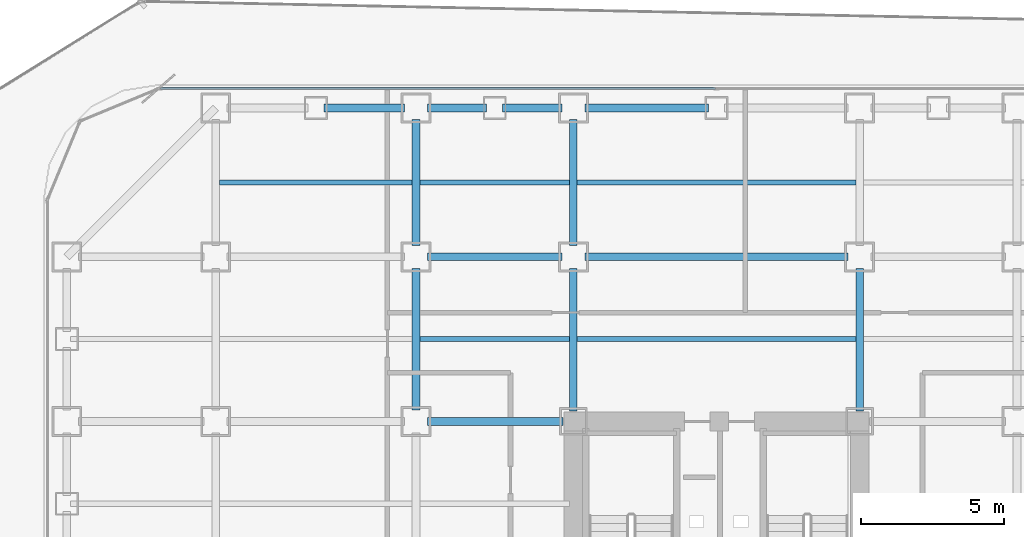
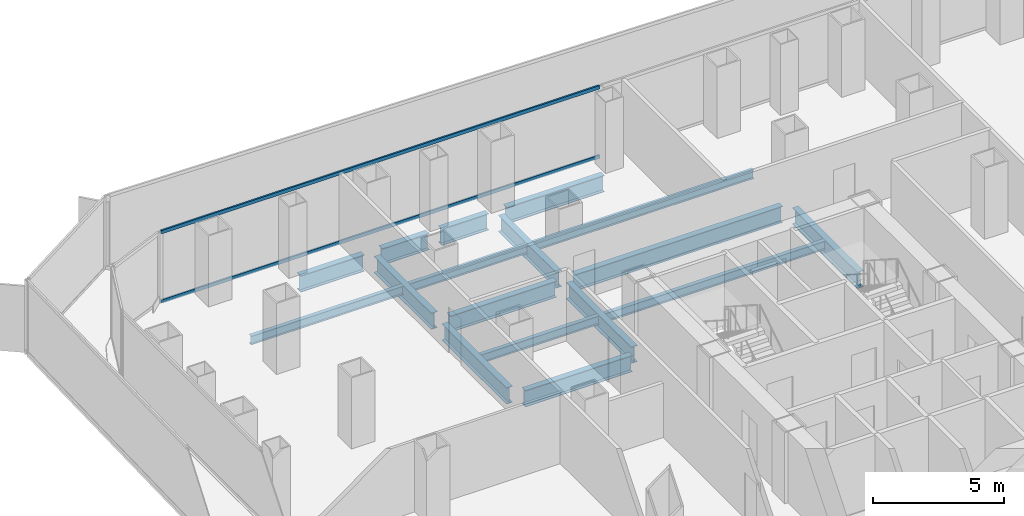
# One storey, part 12 of 21: 17 beams, 2 members, 1 element without a shape of its own.
"""IFC4 building model written with IfcOpenShell, lengths in metres."""

import ifcopenshell
import ifcopenshell.guid

model = None  # the IFC model being written
_history = None  # IfcOwnerHistory: only IFC2X3 demands one
_inside = {}  # id of a spatial element -> (the spatial element, [elements in it])
_under = {}  # id of a project, library or spatial element -> (it, [spatial elements below it])
_declared = {}  # id of a project -> (the project, [libraries it declares])
_typed = {}  # id of a type object -> (the type object, [elements of that type])
_made_of = {}  # id of a material, layer set ... -> (it, [elements and type objects made of it])


def new_model(schema):
    """Start an empty IFC model of exactly this schema.

    Asked for "IFC4X3", IfcOpenShell would pick the latest addendum, in which some entities
    have other attributes; the version numbers below select the first issue.
    IFC2X3 requires an IfcOwnerHistory on every rooted entity: one is made here for all.
    """
    global model, _history
    if schema == "IFC4X3":
        model = ifcopenshell.file(schema_version=(4, 3, 0, 0))
    else:
        model = ifcopenshell.file(schema=schema)
    _inside.clear()
    _under.clear()
    _declared.clear()
    _typed.clear()
    _made_of.clear()
    _history = None
    if model.schema == "IFC2X3":
        org = make("IfcOrganization", Name="unknown")
        user = make(
            "IfcPersonAndOrganization",
            ThePerson=make("IfcPerson", FamilyName="unknown"),
            TheOrganization=org,
        )
        app = make(
            "IfcApplication",
            ApplicationDeveloper=org,
            Version="unknown",
            ApplicationFullName="unknown",
            ApplicationIdentifier="unknown",
        )
        _history = make(
            "IfcOwnerHistory",
            OwningUser=user,
            OwningApplication=app,
            ChangeAction="ADDED",
            CreationDate=0,
        )
    return model


def make(cls, **values):
    """One entity of the class cls with the attributes given. An attribute that is None is left unset."""
    return model.create_entity(
        cls, **{name: value for name, value in values.items() if value is not None}
    )


def rooted(cls, **values):
    """An entity with a GlobalId (a new one), such as an element, a storey or a relation."""
    return make(cls, GlobalId=ifcopenshell.guid.new(), OwnerHistory=_history, **values)


def si_unit(unit_type, name, prefix=None):
    """IfcSIUnit, for example si_unit("LENGTHUNIT", "METRE", prefix="MILLI")."""
    return make("IfcSIUnit", UnitType=unit_type, Prefix=prefix, Name=name)


def assignment(units):
    """IfcUnitAssignment: the units of a project."""
    return None if units is None else make("IfcUnitAssignment", Units=units)


def point(xyz):
    """IfcCartesianPoint."""
    return None if xyz is None else make("IfcCartesianPoint", Coordinates=xyz)


def direction(xyz):
    """IfcDirection."""
    return None if xyz is None else make("IfcDirection", DirectionRatios=xyz)


def frame(location, z_axis=None, x_axis=None):
    """IfcAxis2Placement3D, a coordinate frame: its origin and axes. An axis left out is left unset."""
    return make(
        "IfcAxis2Placement3D",
        Location=point(location),
        Axis=direction(z_axis),
        RefDirection=direction(x_axis),
    )


def frame_2d(location, x_axis=None):
    """IfcAxis2Placement2D, a coordinate frame in the plane: its origin and x axis."""
    return make(
        "IfcAxis2Placement2D", Location=point(location), RefDirection=direction(x_axis)
    )


def origin():
    """The frame at (0, 0, 0) with its axes left unset."""
    return frame((0.0, 0.0, 0.0))


def origin_2d():
    """The frame at (0, 0) in the plane with its x axis left unset."""
    return frame_2d((0.0, 0.0))


def place(relative_to, where):
    """IfcLocalPlacement: puts the frame where relative to a parent placement (None: the world)."""
    return make(
        "IfcLocalPlacement", PlacementRelTo=relative_to, RelativePlacement=where
    )


def context(
    kind, dimensions, precision=None, world=None, true_north=None, identifier=None
):
    """IfcGeometricRepresentationContext, for example the 3D "Model" context."""
    return make(
        "IfcGeometricRepresentationContext",
        ContextIdentifier=identifier,
        ContextType=kind,
        CoordinateSpaceDimension=dimensions,
        Precision=precision,
        WorldCoordinateSystem=world,
        TrueNorth=true_north,
    )


def subcontext(parent, identifier, kind, view, scale=None):
    """IfcGeometricRepresentationSubContext, for example "Body" below "Model"."""
    return make(
        "IfcGeometricRepresentationSubContext",
        ContextIdentifier=identifier,
        ContextType=kind,
        ParentContext=parent,
        TargetScale=scale,
        TargetView=view,
    )


def project(units=None, contexts=None):
    """IfcProject with its units and contexts."""
    return rooted(
        "IfcProject",
        Name="project",
        RepresentationContexts=contexts,
        UnitsInContext=assignment(units),
    )


def spatial(cls, under=None, at=None, **own):
    """A site, building, storey or space (cls), placed at a placement, below another one or the project."""
    s = rooted(cls, ObjectPlacement=at, **own)
    if under is not None:
        _under.setdefault(under.id(), (under, []))[1].append(s)
    return s


def profile(cls, at=None, kind="AREA", **sizes):
    """A parametric profile (cls). Its sizes go by their IFC names, for example OverallWidth=200.0."""
    return make(cls, ProfileType=kind, Position=at, **sizes)


def hollow_rectangle(**sizes):
    """IfcRectangleHollowProfileDef."""
    return profile("IfcRectangleHollowProfileDef", **sizes)


def i_section(**sizes):
    """IfcIShapeProfileDef."""
    return profile("IfcIShapeProfileDef", **sizes)


def extrude(swept, where, along, depth):
    """IfcExtrudedAreaSolid: the profile swept, set in the frame where, extruded along a direction by depth."""
    return make(
        "IfcExtrudedAreaSolid",
        SweptArea=swept,
        Position=where,
        ExtrudedDirection=direction(along),
        Depth=depth,
    )


def shape(context_of_items, identifier, shape_type, items):
    """IfcShapeRepresentation: the items that make up one representation, for example the "Body"."""
    return make(
        "IfcShapeRepresentation",
        ContextOfItems=context_of_items,
        RepresentationIdentifier=identifier,
        RepresentationType=shape_type,
        Items=items,
    )


def source(mapping_origin, context_of_items, identifier, shape_type, items):
    """IfcRepresentationMap: a shape defined once, which mapped items show again and again."""
    return make(
        "IfcRepresentationMap",
        MappingOrigin=mapping_origin,
        MappedRepresentation=shape(context_of_items, identifier, shape_type, items),
    )


def transform(
    local_origin,
    x_axis=None,
    y_axis=None,
    z_axis=None,
    scale=None,
    scale2=None,
    scale3=None,
    uniform=True,
):
    """IfcCartesianTransformationOperator3D, or its non-uniform kind. x_axis, y_axis, z_axis: its Axis1, 2, 3."""
    if uniform:
        return make(
            "IfcCartesianTransformationOperator3D",
            Axis1=direction(x_axis),
            Axis2=direction(y_axis),
            LocalOrigin=point(local_origin),
            Scale=scale,
            Axis3=direction(z_axis),
        )
    return make(
        "IfcCartesianTransformationOperator3DnonUniform",
        Axis1=direction(x_axis),
        Axis2=direction(y_axis),
        LocalOrigin=point(local_origin),
        Scale=scale,
        Axis3=direction(z_axis),
        Scale2=scale2,
        Scale3=scale3,
    )


def mapped(mapping_source, mapping_target):
    """IfcMappedItem: shows the shape of a source again, moved by a transform."""
    return make(
        "IfcMappedItem", MappingSource=mapping_source, MappingTarget=mapping_target
    )


def material(Name=None, Category=None):
    """IfcMaterial."""
    return make("IfcMaterial", Name=Name, Category=Category)


def layer(
    of_material, thickness, ventilated=None, Name=None, Category=None, Priority=None
):
    """IfcMaterialLayer: one layer of a wall or slab, of a material (None: an air gap)."""
    return make(
        "IfcMaterialLayer",
        Material=of_material,
        LayerThickness=thickness,
        IsVentilated=ventilated,
        Name=Name,
        Category=Category,
        Priority=Priority,
    )


def layer_set(layers, Name=None):
    """IfcMaterialLayerSet."""
    return make("IfcMaterialLayerSet", MaterialLayers=layers, LayerSetName=Name)


def material_profile(
    of_material, cross_section, Name=None, Category=None, Priority=None
):
    """IfcMaterialProfile: a cross section and its material."""
    return make(
        "IfcMaterialProfile",
        Name=Name,
        Material=of_material,
        Profile=cross_section,
        Priority=Priority,
        Category=Category,
    )


def profile_set(profiles, Name=None, composite=None):
    """IfcMaterialProfileSet."""
    return make(
        "IfcMaterialProfileSet",
        Name=Name,
        MaterialProfiles=profiles,
        CompositeProfile=composite,
    )


def made_of(thing, what):
    """Note that an element or type object is made of a material, layer set ...; save() writes the relation."""
    if what is not None:
        _made_of.setdefault(what.id(), (what, []))[1].append(thing)
    return thing


def type_object(cls, material=None, **own):
    """A type object (cls), such as IfcWallType, which elements share."""
    return made_of(rooted(cls, **own), material)


def element(
    cls,
    number,
    at=None,
    inside=None,
    cuts=None,
    type_object=None,
    material=None,
    context=None,
    identifier="Body",
    shape_type=None,
    held_by="IfcProductDefinitionShape",
    body=None,
    shapes=None,
    **own,
):
    """One element of the class cls, such as IfcWall. Its Tag is "e" and its number.

    at: its placement. inside: the storey or other place that contains it. cuts: it is an
    opening in that element (IfcRelVoidsElement). A single representation is given by context,
    identifier, shape_type and body (its items); several are given by shapes. held_by: the class
    of the entity that holds the representations. save() writes the other relations.
    """
    e = rooted(cls, Tag="e%d" % number, ObjectPlacement=at, **own)
    if body is not None:
        shapes = [shape(context, identifier, shape_type, body)]
    if shapes is not None:
        e.Representation = make(held_by, Representations=shapes)
    if inside is not None:
        _inside.setdefault(inside.id(), (inside, []))[1].append(e)
    if cuts is not None:
        rooted(
            "IfcRelVoidsElement", RelatingBuildingElement=cuts, RelatedOpeningElement=e
        )
    if type_object is not None:
        _typed.setdefault(type_object.id(), (type_object, []))[1].append(e)
    return made_of(e, material)


def aggregate(whole, parts):
    """IfcRelAggregates: a whole, such as a stair, and the parts it consists of."""
    return rooted("IfcRelAggregates", RelatingObject=whole, RelatedObjects=parts)


def save(model, path):
    """Write the relations noted so far, then the file.

    IfcRelAggregates (storeys below a building ...), IfcRelContainedInSpatialStructure (elements
    in a storey), IfcRelDefinesByType, IfcRelAssociatesMaterial and IfcRelDeclares: one each for
    every whole, place, type object, material and project.
    """
    for whole, parts in _under.values():
        aggregate(whole, parts)
    for where, things in _inside.values():
        rooted(
            "IfcRelContainedInSpatialStructure",
            RelatedElements=things,
            RelatingStructure=where,
        )
    for kind, things in _typed.values():
        rooted("IfcRelDefinesByType", RelatedObjects=things, RelatingType=kind)
    for what, things in _made_of.values():
        rooted("IfcRelAssociatesMaterial", RelatedObjects=things, RelatingMaterial=what)
    for by, libraries in _declared.values():
        rooted("IfcRelDeclares", RelatingContext=by, RelatedDefinitions=libraries)
    model.write(path)


model = new_model("IFC4")

# Units and contexts
model_context = context("Model", 3, precision=1e-05, world=origin(), true_north=direction((0.0, 1.0)))
body_context = subcontext(model_context, "Body", "Model", "MODEL_VIEW")
ifc_project = project(units=[si_unit("LENGTHUNIT", "METRE"), si_unit("AREAUNIT", "SQUARE_METRE"), si_unit("VOLUMEUNIT", "CUBIC_METRE"), si_unit("PLANEANGLEUNIT", "RADIAN"), si_unit("MASSUNIT", "GRAM", prefix="KILO")], contexts=[model_context])

# Site, building, storey
site_placement = place(None, origin())
site = spatial("IfcSite", under=ifc_project, at=site_placement, CompositionType="ELEMENT")
building_placement = place(site_placement, origin())
building = spatial("IfcBuilding", under=site, at=building_placement, Name="Kolveth Station Tower", CompositionType="ELEMENT")
storey_placement = place(building_placement, frame((0.0, 0.0, 62.10009765625)))
storey = spatial("IfcBuildingStorey", under=building, at=storey_placement, Name="L16", CompositionType="ELEMENT", Elevation=62.10009765625)

# Beams
ifc_material_1 = material(Name="Steel S355", Category="steel")
ifc_material_profile_1 = material_profile(ifc_material_1, i_section(OverallWidth=0.26904296875, OverallDepth=0.77490234375, WebThickness=0.01708984375, FlangeThickness=0.0283203125, at=origin_2d()), Name="W760x220")
ifc_profile_set_1 = profile_set([ifc_material_profile_1], Name="Steel S355")
beam_type_1 = type_object("IfcBeamType", Name="Beam_SP1", PredefinedType="SPANDREL", material=ifc_profile_set_1)
shared_shape_1 = source(origin(), body_context, "Body", "SweptSolid", [
    extrude(i_section(OverallWidth=0.26904296875, OverallDepth=0.77490234375, WebThickness=0.01708984375, FlangeThickness=0.0283203125, at=origin_2d()), origin(), (0.0, 0.0, 1.0), 2.820068359375),
])
beam_1_placement = place(storey_placement, frame((9.780029296875, 39.699951171875, -0.66748046875), z_axis=(1.0, 0.0, 0.0), x_axis=(0.0, 1.0, 0.0)))
element("IfcBeam", 1, at=beam_1_placement, inside=storey, type_object=beam_type_1, Name="L16 Perimeter Spandrel BM-L16-PN-2", PredefinedType="SPANDREL", context=body_context, shape_type="MappedRepresentation", body=[
    mapped(shared_shape_1, transform((0.0, 0.0, 0.0), x_axis=(1.0, 0.0, 0.0), y_axis=(0.0, 1.0, 0.0), z_axis=(0.0, 0.0, 1.0), scale=1.0)),
])
shared_shape_2 = source(origin(), body_context, "Body", "SweptSolid", [
    extrude(i_section(OverallWidth=0.26904296875, OverallDepth=0.77490234375, WebThickness=0.01708984375, FlangeThickness=0.0283203125, at=origin_2d()), origin(), (0.0, 0.0, 1.0), 2.070068359375),
])
for number, where, z_axis, x_axis, name in (
    (2, (13.39990234375, 39.699951171875, -0.66748046875), (1.0, 0.0, 0.0), (0.0, 1.0, 0.0), "L16 Perimeter Spandrel BM-L16-PN-3"),
    (3, (16.030029296875, 39.699951171875, -0.66748046875), (1.0, 0.0, 0.0), (0.0, 1.0, 0.0), "L16 Perimeter Spandrel BM-L16-PN-4"),
):
    element("IfcBeam", number, at=place(storey_placement, frame(where, z_axis=z_axis, x_axis=x_axis)), inside=storey, type_object=beam_type_1, Name=name, PredefinedType="SPANDREL", context=body_context, shape_type="MappedRepresentation", body=[
        mapped(shared_shape_2, transform((0.0, 0.0, 0.0), x_axis=(1.0, 0.0, 0.0), y_axis=(0.0, 1.0, 0.0), z_axis=(0.0, 0.0, 1.0), scale=1.0)),
    ])
shared_shape_3 = source(origin(), body_context, "Body", "SweptSolid", [
    extrude(i_section(OverallWidth=0.26904296875, OverallDepth=0.77490234375, WebThickness=0.01708984375, FlangeThickness=0.0283203125, at=origin_2d()), origin(), (0.0, 0.0, 1.0), 4.320068359375),
])
beam_2_placement = place(storey_placement, frame((18.89990234375, 39.699951171875, -0.66748046875), z_axis=(1.0, 0.0, 0.0), x_axis=(0.0, 1.0, 0.0)))
element("IfcBeam", 4, at=beam_2_placement, inside=storey, type_object=beam_type_1, Name="L16 Perimeter Spandrel BM-L16-PN-5", PredefinedType="SPANDREL", context=body_context, shape_type="MappedRepresentation", body=[
    mapped(shared_shape_3, transform((0.0, 0.0, 0.0), x_axis=(1.0, 0.0, 0.0), y_axis=(0.0, 1.0, 0.0), z_axis=(0.0, 0.0, 1.0), scale=1.0)),
])
ifc_material_profile_2 = material_profile(ifc_material_1, i_section(OverallWidth=0.26708984375, OverallDepth=0.76611328125, WebThickness=0.014892578125, FlangeThickness=0.023681640625, at=origin_2d()), Name="W760x185")
ifc_profile_set_2 = profile_set([ifc_material_profile_2], Name="Steel S355")
beam_type_2 = type_object("IfcBeamType", Name="Beam_B3", PredefinedType="BEAM", material=ifc_profile_set_2)
shared_shape_4 = source(origin(), body_context, "Body", "SweptSolid", [
    extrude(i_section(OverallWidth=0.26708984375, OverallDepth=0.76611328125, WebThickness=0.014892578125, FlangeThickness=0.023681640625, at=origin_2d()), origin(), (0.0, 0.0, 1.0), 4.400146484375),
])
for number, where, z_axis, x_axis, name in (
    (5, (13.0, 34.89990234375, -0.6630859375), (0.0, 1.0, 0.0), (-1.0, 0.0, 0.0), "L16 Primary Girder BM-L16-GX130-7"),
    (6, (18.5, 34.89990234375, -0.6630859375), (0.0, 1.0, 0.0), (-1.0, 0.0, 0.0), "L16 Primary Girder BM-L16-GX185-7"),
):
    element("IfcBeam", number, at=place(storey_placement, frame(where, z_axis=z_axis, x_axis=x_axis)), inside=storey, type_object=beam_type_2, Name=name, PredefinedType="BEAM", context=body_context, shape_type="MappedRepresentation", body=[
        mapped(shared_shape_4, transform((0.0, 0.0, 0.0), x_axis=(1.0, 0.0, 0.0), y_axis=(0.0, 1.0, 0.0), z_axis=(0.0, 0.0, 1.0), scale=1.0)),
    ])
shared_shape_5 = source(origin(), body_context, "Body", "SweptSolid", [
    extrude(i_section(OverallWidth=0.26708984375, OverallDepth=0.76611328125, WebThickness=0.014892578125, FlangeThickness=0.023681640625, at=origin_2d()), origin(), (0.0, 0.0, 1.0), 4.7001953125),
])
beam_3_placement = place(storey_placement, frame((13.39990234375, 34.5, -0.6630859375), z_axis=(1.0, 0.0, 0.0), x_axis=(0.0, 1.0, 0.0)))
element("IfcBeam", 7, at=beam_3_placement, inside=storey, type_object=beam_type_2, Name="L16 Primary Girder BM-L16-GY345-3", PredefinedType="BEAM", context=body_context, shape_type="MappedRepresentation", body=[
    mapped(shared_shape_5, transform((0.0, 0.0, 0.0), x_axis=(1.0, 0.0, 0.0), y_axis=(0.0, 1.0, 0.0), z_axis=(0.0, 0.0, 1.0), scale=1.0)),
])
shared_shape_6 = source(origin(), body_context, "Body", "SweptSolid", [
    extrude(i_section(OverallWidth=0.26708984375, OverallDepth=0.76611328125, WebThickness=0.014892578125, FlangeThickness=0.023681640625, at=origin_2d()), origin(), (0.0, 0.0, 1.0), 9.2001953125),
])
beam_4_placement = place(storey_placement, frame((18.89990234375, 34.5, -0.6630859375), z_axis=(1.0, 0.0, 0.0), x_axis=(0.0, 1.0, 0.0)))
element("IfcBeam", 8, at=beam_4_placement, inside=storey, type_object=beam_type_2, Name="L16 Primary Girder BM-L16-GY345-4", PredefinedType="BEAM", context=body_context, shape_type="MappedRepresentation", body=[
    mapped(shared_shape_6, transform((0.0, 0.0, 0.0), x_axis=(1.0, 0.0, 0.0), y_axis=(0.0, 1.0, 0.0), z_axis=(0.0, 0.0, 1.0), scale=1.0)),
])
shared_shape_7 = source(origin(), body_context, "Body", "SweptSolid", [
    extrude(i_section(OverallWidth=0.26708984375, OverallDepth=0.76611328125, WebThickness=0.014892578125, FlangeThickness=0.023681640625, at=origin_2d()), origin(), (0.0, 0.0, 1.0), 4.739990234375),
])
beam_5_placement = place(storey_placement, frame((13.39990234375, 28.75, -0.6630859375), z_axis=(1.0, 0.0, 0.0), x_axis=(0.0, 1.0, 0.0)))
element("IfcBeam", 9, at=beam_5_placement, inside=storey, type_object=beam_type_2, Name="L16 Primary Girder BM-L16-GY287-3", PredefinedType="BEAM", context=body_context, shape_type="MappedRepresentation", body=[
    mapped(shared_shape_7, transform((0.0, 0.0, 0.0), x_axis=(1.0, 0.0, 0.0), y_axis=(0.0, 1.0, 0.0), z_axis=(0.0, 0.0, 1.0), scale=1.0)),
])
shared_shape_8 = source(origin(), body_context, "Body", "SweptSolid", [
    extrude(i_section(OverallWidth=0.26708984375, OverallDepth=0.76611328125, WebThickness=0.014892578125, FlangeThickness=0.023681640625, at=origin_2d()), origin(), (0.0, 0.0, 1.0), 4.9501953125),
])
beam_6_placement = place(storey_placement, frame((13.0, 29.14990234375, -0.6630859375), z_axis=(0.0, 1.0, 0.0), x_axis=(-1.0, 0.0, 0.0)))
element("IfcBeam", 10, at=beam_6_placement, inside=storey, type_object=beam_type_2, Name="L16 Primary Girder BM-L16-GX130-6", PredefinedType="BEAM", context=body_context, shape_type="MappedRepresentation", body=[
    mapped(shared_shape_8, transform((0.0, 0.0, 0.0), x_axis=(1.0, 0.0, 0.0), y_axis=(0.0, 1.0, 0.0), z_axis=(0.0, 0.0, 1.0), scale=1.0)),
])
shared_shape_9 = source(origin(), body_context, "Body", "SweptSolid", [
    extrude(i_section(OverallWidth=0.26708984375, OverallDepth=0.76611328125, WebThickness=0.014892578125, FlangeThickness=0.023681640625, at=origin_2d()), origin(), (0.0, 0.0, 1.0), 4.989990234375),
])
for number, where, z_axis, x_axis, name in (
    (11, (18.5, 29.110107421875, -0.6630859375), (0.0, 1.0, 0.0), (-1.0, 0.0, 0.0), "L16 Primary Girder BM-L16-GX185-6"),
    (12, (28.5, 29.110107421875, -0.6630859375), (0.0, 1.0, 0.0), (-1.0, 0.0, 0.0), "L16 Primary Girder BM-L16-GX285-6"),
):
    element("IfcBeam", number, at=place(storey_placement, frame(where, z_axis=z_axis, x_axis=x_axis)), inside=storey, type_object=beam_type_2, Name=name, PredefinedType="BEAM", context=body_context, shape_type="MappedRepresentation", body=[
        mapped(shared_shape_9, transform((0.0, 0.0, 0.0), x_axis=(1.0, 0.0, 0.0), y_axis=(0.0, 1.0, 0.0), z_axis=(0.0, 0.0, 1.0), scale=1.0)),
    ])
ifc_material_profile_3 = material_profile(ifc_material_1, i_section(OverallWidth=0.177978515625, OverallDepth=0.406982421875, WebThickness=0.0078125, FlangeThickness=0.0126953125, at=origin_2d()), Name="W410x60")
ifc_profile_set_3 = profile_set([ifc_material_profile_3], Name="Steel S355")
beam_type_3 = type_object("IfcBeamType", Name="Beam_J1", PredefinedType="JOIST", material=ifc_profile_set_3)
shared_shape_10 = source(origin(), body_context, "Body", "SweptSolid", [
    extrude(i_section(OverallWidth=0.177978515625, OverallDepth=0.406982421875, WebThickness=0.0078125, FlangeThickness=0.0126953125, at=origin_2d()), origin(), (0.0, 0.0, 1.0), 6.73681640625),
])
beam_7_placement = place(storey_placement, frame((6.131591796875, 37.10009765625, -0.483642578125), z_axis=(1.0, 0.0, 0.0), x_axis=(0.0, 1.0, 0.0)))
element("IfcBeam", 13, at=beam_7_placement, inside=storey, type_object=beam_type_3, Name="L16 Secondary Joist JST-L16-2-7", PredefinedType="JOIST", context=body_context, shape_type="MappedRepresentation", body=[
    mapped(shared_shape_10, transform((0.0, 0.0, 0.0), x_axis=(1.0, 0.0, 0.0), y_axis=(0.0, 1.0, 0.0), z_axis=(0.0, 0.0, 1.0), scale=1.0)),
])
shared_shape_11 = source(origin(), body_context, "Body", "SweptSolid", [
    extrude(i_section(OverallWidth=0.177978515625, OverallDepth=0.406982421875, WebThickness=0.0078125, FlangeThickness=0.0126953125, at=origin_2d()), origin(), (0.0, 0.0, 1.0), 5.23681640625),
])
for number, where, z_axis, x_axis, name in (
    (14, (13.131591796875, 31.625, -0.483642578125), (1.0, 0.0, 0.0), (0.0, 1.0, 0.0), "L16 Secondary Joist JST-L16-3-6"),
    (15, (13.131591796875, 37.10009765625, -0.483642578125), (1.0, 0.0, 0.0), (0.0, 1.0, 0.0), "L16 Secondary Joist JST-L16-3-7"),
):
    element("IfcBeam", number, at=place(storey_placement, frame(where, z_axis=z_axis, x_axis=x_axis)), inside=storey, type_object=beam_type_3, Name=name, PredefinedType="JOIST", context=body_context, shape_type="MappedRepresentation", body=[
        mapped(shared_shape_11, transform((0.0, 0.0, 0.0), x_axis=(1.0, 0.0, 0.0), y_axis=(0.0, 1.0, 0.0), z_axis=(0.0, 0.0, 1.0), scale=1.0)),
    ])
shared_shape_12 = source(origin(), body_context, "Body", "SweptSolid", [
    extrude(i_section(OverallWidth=0.177978515625, OverallDepth=0.406982421875, WebThickness=0.0078125, FlangeThickness=0.0126953125, at=origin_2d()), origin(), (0.0, 0.0, 1.0), 9.73681640625),
])
for number, where, z_axis, x_axis, name in (
    (16, (18.631591796875, 31.625, -0.483642578125), (1.0, 0.0, 0.0), (0.0, 1.0, 0.0), "L16 Secondary Joist JST-L16-4-6"),
    (17, (18.631591796875, 37.10009765625, -0.483642578125), (1.0, 0.0, 0.0), (0.0, 1.0, 0.0), "L16 Secondary Joist JST-L16-4-7"),
):
    element("IfcBeam", number, at=place(storey_placement, frame(where, z_axis=z_axis, x_axis=x_axis)), inside=storey, type_object=beam_type_3, Name=name, PredefinedType="JOIST", context=body_context, shape_type="MappedRepresentation", body=[
        mapped(shared_shape_12, transform((0.0, 0.0, 0.0), x_axis=(1.0, 0.0, 0.0), y_axis=(0.0, 1.0, 0.0), z_axis=(0.0, 0.0, 1.0), scale=1.0)),
    ])

# Curtain wall, members
ifc_material_2 = material(Name="Aluminium 6063-T6 and low-E dark glass", Category="aluminium")
ifc_layer = layer(ifc_material_2, 0.179931640625)
ifc_layer_set = layer_set([ifc_layer], Name="Aluminium 6063-T6 and low-E dark glass")
curtain_wall_type = type_object("IfcCurtainWallType", Name="CurtainWall_CW-Z1", PredefinedType="NOTDEFINED", material=ifc_layer_set)
curtain_wall_placement = place(storey_placement, origin())
curtain_wall = element("IfcCurtainWall", 18, at=curtain_wall_placement, inside=storey, type_object=curtain_wall_type, Name="L16 Inner Thermal Curtain Wall 6", PredefinedType="NOTDEFINED")
ifc_material_3 = material(Name="Black anodized aluminium 6063-T6", Category="aluminium")
ifc_material_profile_4 = material_profile(ifc_material_3, hollow_rectangle(XDim=0.074951171875, YDim=0.159912109375, WallThickness=0.0048828125, at=origin_2d()), Name="ALU-75x160x5")
ifc_profile_set_4 = profile_set([ifc_material_profile_4], Name="Black anodized aluminium 6063-T6")
member_type = type_object("IfcMemberType", Name="Transom_TR1", PredefinedType="USERDEFINED", material=ifc_profile_set_4)
shared_shape_13 = source(origin(), body_context, "Body", "SweptSolid", [
    extrude(hollow_rectangle(XDim=0.074951171875, YDim=0.159912109375, WallThickness=0.0048828125, at=origin_2d()), origin(), (0.0, 0.0, 1.0), 19.387451171875),
])
member_1_placement = place(storey_placement, frame((23.46240234375, 40.3798828125, 0.037353515625), z_axis=(-1.0, 0.0, 0.0), x_axis=(0.0, -1.0, 0.0)))
member_1 = element("IfcMember", 19, at=member_1_placement, type_object=member_type, Name="CW-Z1 transom 2.1", ObjectType="TRANSOM", PredefinedType="USERDEFINED", context=body_context, shape_type="MappedRepresentation", body=[
    mapped(shared_shape_13, transform((0.0, 0.0, 0.0), x_axis=(1.0, 0.0, 0.0), y_axis=(0.0, 1.0, 0.0), z_axis=(0.0, 0.0, 1.0), scale=1.0)),
])
member_2_placement = place(storey_placement, frame((23.46240234375, 40.3798828125, 3.282470703125), z_axis=(-1.0, 0.0, 0.0), x_axis=(0.0, -1.0, 0.0)))
member_2 = element("IfcMember", 20, at=member_2_placement, type_object=member_type, Name="CW-Z1 transom 2.2", ObjectType="TRANSOM", PredefinedType="USERDEFINED", context=body_context, shape_type="MappedRepresentation", body=[
    mapped(shared_shape_13, transform((0.0, 0.0, 0.0), x_axis=(1.0, 0.0, 0.0), y_axis=(0.0, 1.0, 0.0), z_axis=(0.0, 0.0, 1.0), scale=1.0)),
])
aggregate(curtain_wall, [member_1, member_2])

save(model, "model.ifc")
